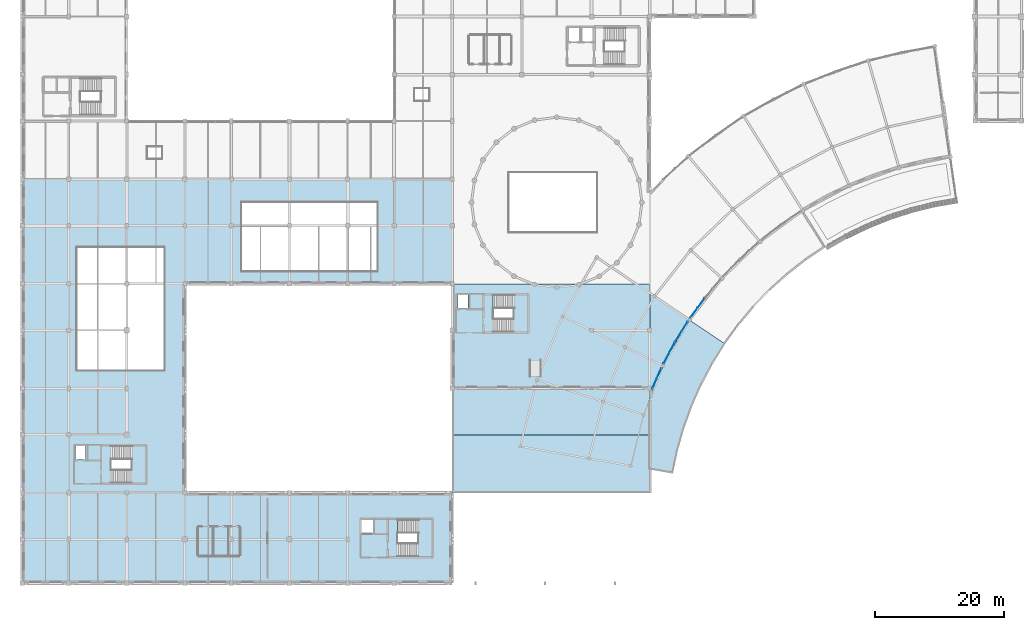
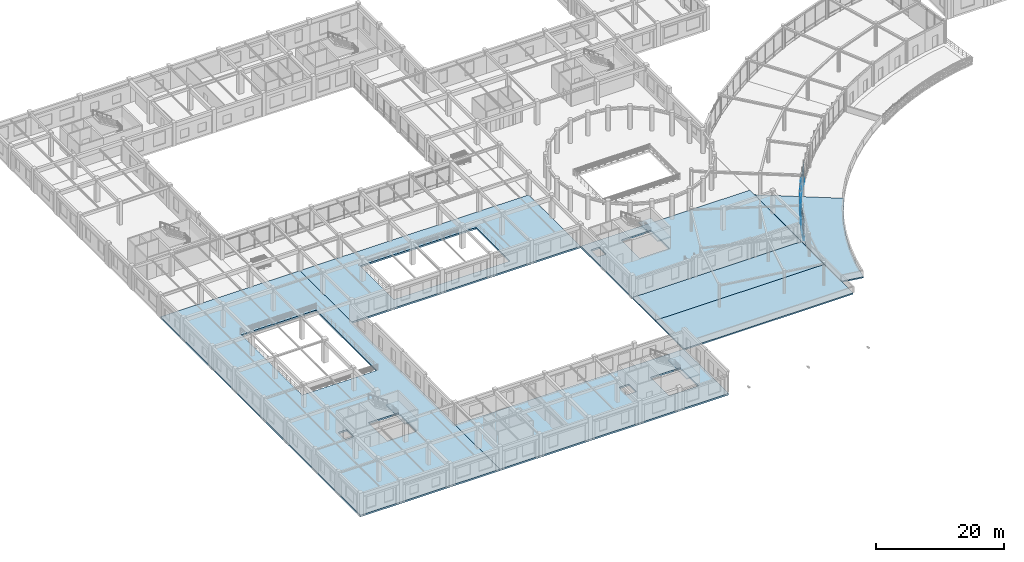
# One storey, part 30 of 62: 16 plates, 11 slabs, 7 elements without a shape of their own.
"""IFC4 building model written with IfcOpenShell, lengths in metres."""

import ifcopenshell
import ifcopenshell.guid

model = None  # the IFC model being written
_history = None  # IfcOwnerHistory: only IFC2X3 demands one
_inside = {}  # id of a spatial element -> (the spatial element, [elements in it])
_under = {}  # id of a project, library or spatial element -> (it, [spatial elements below it])
_declared = {}  # id of a project -> (the project, [libraries it declares])
_typed = {}  # id of a type object -> (the type object, [elements of that type])
_made_of = {}  # id of a material, layer set ... -> (it, [elements and type objects made of it])


def new_model(schema):
    """Start an empty IFC model of exactly this schema.

    Asked for "IFC4X3", IfcOpenShell would pick the latest addendum, in which some entities
    have other attributes; the version numbers below select the first issue.
    IFC2X3 requires an IfcOwnerHistory on every rooted entity: one is made here for all.
    """
    global model, _history
    if schema == "IFC4X3":
        model = ifcopenshell.file(schema_version=(4, 3, 0, 0))
    else:
        model = ifcopenshell.file(schema=schema)
    _inside.clear()
    _under.clear()
    _declared.clear()
    _typed.clear()
    _made_of.clear()
    _history = None
    if model.schema == "IFC2X3":
        org = make("IfcOrganization", Name="unknown")
        user = make(
            "IfcPersonAndOrganization",
            ThePerson=make("IfcPerson", FamilyName="unknown"),
            TheOrganization=org,
        )
        app = make(
            "IfcApplication",
            ApplicationDeveloper=org,
            Version="unknown",
            ApplicationFullName="unknown",
            ApplicationIdentifier="unknown",
        )
        _history = make(
            "IfcOwnerHistory",
            OwningUser=user,
            OwningApplication=app,
            ChangeAction="ADDED",
            CreationDate=0,
        )
    return model


def make(cls, **values):
    """One entity of the class cls with the attributes given. An attribute that is None is left unset."""
    return model.create_entity(
        cls, **{name: value for name, value in values.items() if value is not None}
    )


def rooted(cls, **values):
    """An entity with a GlobalId (a new one), such as an element, a storey or a relation."""
    return make(cls, GlobalId=ifcopenshell.guid.new(), OwnerHistory=_history, **values)


def si_unit(unit_type, name, prefix=None):
    """IfcSIUnit, for example si_unit("LENGTHUNIT", "METRE", prefix="MILLI")."""
    return make("IfcSIUnit", UnitType=unit_type, Prefix=prefix, Name=name)


def assignment(units):
    """IfcUnitAssignment: the units of a project."""
    return None if units is None else make("IfcUnitAssignment", Units=units)


def point(xyz):
    """IfcCartesianPoint."""
    return None if xyz is None else make("IfcCartesianPoint", Coordinates=xyz)


def direction(xyz):
    """IfcDirection."""
    return None if xyz is None else make("IfcDirection", DirectionRatios=xyz)


def frame(location, z_axis=None, x_axis=None):
    """IfcAxis2Placement3D, a coordinate frame: its origin and axes. An axis left out is left unset."""
    return make(
        "IfcAxis2Placement3D",
        Location=point(location),
        Axis=direction(z_axis),
        RefDirection=direction(x_axis),
    )


def frame_2d(location, x_axis=None):
    """IfcAxis2Placement2D, a coordinate frame in the plane: its origin and x axis."""
    return make(
        "IfcAxis2Placement2D", Location=point(location), RefDirection=direction(x_axis)
    )


def origin():
    """The frame at (0, 0, 0) with its axes left unset."""
    return frame((0.0, 0.0, 0.0))


def place(relative_to, where):
    """IfcLocalPlacement: puts the frame where relative to a parent placement (None: the world)."""
    return make(
        "IfcLocalPlacement", PlacementRelTo=relative_to, RelativePlacement=where
    )


def context(
    kind, dimensions, precision=None, world=None, true_north=None, identifier=None
):
    """IfcGeometricRepresentationContext, for example the 3D "Model" context."""
    return make(
        "IfcGeometricRepresentationContext",
        ContextIdentifier=identifier,
        ContextType=kind,
        CoordinateSpaceDimension=dimensions,
        Precision=precision,
        WorldCoordinateSystem=world,
        TrueNorth=true_north,
    )


def subcontext(parent, identifier, kind, view, scale=None):
    """IfcGeometricRepresentationSubContext, for example "Body" below "Model"."""
    return make(
        "IfcGeometricRepresentationSubContext",
        ContextIdentifier=identifier,
        ContextType=kind,
        ParentContext=parent,
        TargetScale=scale,
        TargetView=view,
    )


def project(units=None, contexts=None):
    """IfcProject with its units and contexts."""
    return rooted(
        "IfcProject",
        Name="project",
        RepresentationContexts=contexts,
        UnitsInContext=assignment(units),
    )


def spatial(cls, under=None, at=None, **own):
    """A site, building, storey or space (cls), placed at a placement, below another one or the project."""
    s = rooted(cls, ObjectPlacement=at, **own)
    if under is not None:
        _under.setdefault(under.id(), (under, []))[1].append(s)
    return s


def polyline(points):
    """IfcPolyline through the points."""
    return make("IfcPolyline", Points=[point(p) for p in points])


def profile(cls, at=None, kind="AREA", **sizes):
    """A parametric profile (cls). Its sizes go by their IFC names, for example OverallWidth=200.0."""
    return make(cls, ProfileType=kind, Position=at, **sizes)


def rectangle(**sizes):
    """IfcRectangleProfileDef."""
    return profile("IfcRectangleProfileDef", **sizes)


def outline(outer, holes=None, kind="AREA"):
    """IfcArbitraryClosedProfileDef: a profile drawn as a closed curve; with holes, ...WithVoids."""
    if holes is None:
        return make("IfcArbitraryClosedProfileDef", ProfileType=kind, OuterCurve=outer)
    return make(
        "IfcArbitraryProfileDefWithVoids",
        ProfileType=kind,
        OuterCurve=outer,
        InnerCurves=holes,
    )


def extrude(swept, where, along, depth):
    """IfcExtrudedAreaSolid: the profile swept, set in the frame where, extruded along a direction by depth."""
    return make(
        "IfcExtrudedAreaSolid",
        SweptArea=swept,
        Position=where,
        ExtrudedDirection=direction(along),
        Depth=depth,
    )


def shape(context_of_items, identifier, shape_type, items):
    """IfcShapeRepresentation: the items that make up one representation, for example the "Body"."""
    return make(
        "IfcShapeRepresentation",
        ContextOfItems=context_of_items,
        RepresentationIdentifier=identifier,
        RepresentationType=shape_type,
        Items=items,
    )


def material(Name=None, Category=None):
    """IfcMaterial."""
    return make("IfcMaterial", Name=Name, Category=Category)


def layer(
    of_material, thickness, ventilated=None, Name=None, Category=None, Priority=None
):
    """IfcMaterialLayer: one layer of a wall or slab, of a material (None: an air gap)."""
    return make(
        "IfcMaterialLayer",
        Material=of_material,
        LayerThickness=thickness,
        IsVentilated=ventilated,
        Name=Name,
        Category=Category,
        Priority=Priority,
    )


def layer_set(layers, Name=None):
    """IfcMaterialLayerSet."""
    return make("IfcMaterialLayerSet", MaterialLayers=layers, LayerSetName=Name)


def made_of(thing, what):
    """Note that an element or type object is made of a material, layer set ...; save() writes the relation."""
    if what is not None:
        _made_of.setdefault(what.id(), (what, []))[1].append(thing)
    return thing


def type_object(cls, material=None, **own):
    """A type object (cls), such as IfcWallType, which elements share."""
    return made_of(rooted(cls, **own), material)


def element(
    cls,
    number,
    at=None,
    inside=None,
    cuts=None,
    type_object=None,
    material=None,
    context=None,
    identifier="Body",
    shape_type=None,
    held_by="IfcProductDefinitionShape",
    body=None,
    shapes=None,
    **own,
):
    """One element of the class cls, such as IfcWall. Its Tag is "e" and its number.

    at: its placement. inside: the storey or other place that contains it. cuts: it is an
    opening in that element (IfcRelVoidsElement). A single representation is given by context,
    identifier, shape_type and body (its items); several are given by shapes. held_by: the class
    of the entity that holds the representations. save() writes the other relations.
    """
    e = rooted(cls, Tag="e%d" % number, ObjectPlacement=at, **own)
    if body is not None:
        shapes = [shape(context, identifier, shape_type, body)]
    if shapes is not None:
        e.Representation = make(held_by, Representations=shapes)
    if inside is not None:
        _inside.setdefault(inside.id(), (inside, []))[1].append(e)
    if cuts is not None:
        rooted(
            "IfcRelVoidsElement", RelatingBuildingElement=cuts, RelatedOpeningElement=e
        )
    if type_object is not None:
        _typed.setdefault(type_object.id(), (type_object, []))[1].append(e)
    return made_of(e, material)


def aggregate(whole, parts):
    """IfcRelAggregates: a whole, such as a stair, and the parts it consists of."""
    return rooted("IfcRelAggregates", RelatingObject=whole, RelatedObjects=parts)


def save(model, path):
    """Write the relations noted so far, then the file.

    IfcRelAggregates (storeys below a building ...), IfcRelContainedInSpatialStructure (elements
    in a storey), IfcRelDefinesByType, IfcRelAssociatesMaterial and IfcRelDeclares: one each for
    every whole, place, type object, material and project.
    """
    for whole, parts in _under.values():
        aggregate(whole, parts)
    for where, things in _inside.values():
        rooted(
            "IfcRelContainedInSpatialStructure",
            RelatedElements=things,
            RelatingStructure=where,
        )
    for kind, things in _typed.values():
        rooted("IfcRelDefinesByType", RelatedObjects=things, RelatingType=kind)
    for what, things in _made_of.values():
        rooted("IfcRelAssociatesMaterial", RelatedObjects=things, RelatingMaterial=what)
    for by, libraries in _declared.values():
        rooted("IfcRelDeclares", RelatingContext=by, RelatedDefinitions=libraries)
    model.write(path)


model = new_model("IFC4")

# Units and contexts
model_context = context("Model", 3, precision=1e-05, world=origin(), true_north=direction((0.0, 1.0)))
body_context = subcontext(model_context, "Body", "Model", "MODEL_VIEW")
ifc_project = project(units=[si_unit("LENGTHUNIT", "METRE"), si_unit("AREAUNIT", "SQUARE_METRE"), si_unit("VOLUMEUNIT", "CUBIC_METRE"), si_unit("PLANEANGLEUNIT", "RADIAN"), si_unit("MASSUNIT", "GRAM", prefix="KILO")], contexts=[model_context])

# Site, building, storey
site_placement = place(None, origin())
site = spatial("IfcSite", under=ifc_project, at=site_placement, CompositionType="ELEMENT")
building_placement = place(site_placement, origin())
building = spatial("IfcBuilding", under=site, at=building_placement, Name="Clarverna Civic Hall", CompositionType="ELEMENT")
storey_placement = place(building_placement, frame((0.0, 0.0, 5.10009765625)))
storey = spatial("IfcBuildingStorey", under=building, at=storey_placement, Name="L01", CompositionType="ELEMENT", Elevation=5.10009765625)

# Curtain wall, plates
ifc_material_1 = material(Name="Anodised Bronze Architectural Aluminium", Category="aluminium")
curtain_wall_type = type_object("IfcCurtainWallType", Name="CW-03", PredefinedType="USERDEFINED", material=ifc_material_1)
curtain_wall_1_placement = place(storey_placement, origin())
curtain_wall_1 = element("IfcCurtainWall", 1, at=curtain_wall_1_placement, inside=storey, type_object=curtain_wall_type, Name="CW-03-044", ObjectType="UNITISED CURTAIN WALL", PredefinedType="USERDEFINED")
ifc_material_2 = material(Name="Solar-Control Argon Low-E Double Glazing", Category="glass")
ifc_layer_1 = layer(ifc_material_2, 0.031982421875)
ifc_layer_set_1 = layer_set([ifc_layer_1], Name="Solar-Control Argon Low-E Double Glazing")
plate_type_1 = type_object("IfcPlateType", Name="CWP-01", PredefinedType="CURTAIN_PANEL", material=ifc_layer_set_1)
plate_1_placement = place(storey_placement, frame((105.68115234375, 44.121337890625, 0.764892578125), z_axis=(0.0, 0.0, 1.0), x_axis=(-0.58777681408, -0.809023125028, 0.0)))
plate_1 = element("IfcPlate", 2, at=plate_1_placement, type_object=plate_type_1, Name="CWP-01-166", PredefinedType="CURTAIN_PANEL", context=body_context, shape_type="SweptSolid", body=[
    extrude(rectangle(XDim=1.83837890625, YDim=0.031982421875, at=frame_2d((0.919189453125, 0.0))), origin(), (0.0, 0.0, 1.0), 3.034912109375),
])
plate_2_placement = place(storey_placement, frame((104.5830078125, 42.60986328125, 0.764892578125), z_axis=(0.0, 0.0, 1.0), x_axis=(-0.58777681408, -0.809023125028, 0.0)))
plate_2 = element("IfcPlate", 3, at=plate_2_placement, type_object=plate_type_1, Name="CWP-01-167", PredefinedType="CURTAIN_PANEL", context=body_context, shape_type="SweptSolid", body=[
    extrude(rectangle(XDim=1.83837890625, YDim=0.031982421875, at=frame_2d((0.919189453125, 0.0))), origin(), (0.0, 0.0, 1.0), 3.034912109375),
])

curtain_wall_2_placement = place(storey_placement, origin())
curtain_wall_2 = element("IfcCurtainWall", 4, at=curtain_wall_2_placement, inside=storey, type_object=curtain_wall_type, Name="CW-03-045", ObjectType="UNITISED CURTAIN WALL", PredefinedType="USERDEFINED")
plate_3_placement = place(storey_placement, frame((103.077880859375, 40.488037109375, 0.764892578125), z_axis=(0.0, 0.0, 1.0), x_axis=(-0.529876807902, -0.848074624339, 0.0)))
plate_3 = element("IfcPlate", 5, at=plate_3_placement, type_object=plate_type_1, Name="CWP-01-168", PredefinedType="CURTAIN_PANEL", context=body_context, shape_type="SweptSolid", body=[
    extrude(rectangle(XDim=1.796875, YDim=0.031982421875, at=frame_2d((0.8984375, 0.0))), origin(), (0.0, 0.0, 1.0), 3.034912109375),
])
plate_4_placement = place(storey_placement, frame((102.10986328125, 38.938720703125, 0.764892578125), z_axis=(0.0, 0.0, 1.0), x_axis=(-0.529876807902, -0.848074624339, 0.0)))
plate_4 = element("IfcPlate", 6, at=plate_4_placement, type_object=plate_type_1, Name="CWP-01-169", PredefinedType="CURTAIN_PANEL", context=body_context, shape_type="SweptSolid", body=[
    extrude(rectangle(XDim=1.796875, YDim=0.031982421875, at=frame_2d((0.8984375, 0.0))), origin(), (0.0, 0.0, 1.0), 3.034912109375),
])

curtain_wall_3_placement = place(storey_placement, origin())
curtain_wall_3 = element("IfcCurtainWall", 7, at=curtain_wall_3_placement, inside=storey, type_object=curtain_wall_type, Name="CW-03-046", ObjectType="UNITISED CURTAIN WALL", PredefinedType="USERDEFINED")
plate_5_placement = place(storey_placement, frame((101.104736328125, 37.323486328125, 0.764892578125), z_axis=(0.0, 0.0, 1.0), x_axis=(-0.469404046966, -0.882983488346, 0.0)))
plate_5 = element("IfcPlate", 8, at=plate_5_placement, type_object=plate_type_1, Name="CWP-01-170", PredefinedType="CURTAIN_PANEL", context=body_context, shape_type="SweptSolid", body=[
    extrude(rectangle(XDim=1.841064453125, YDim=0.031982421875, at=frame_2d((0.92041015625, 0.0))), origin(), (0.0, 0.0, 1.0), 3.034912109375),
])
plate_6_placement = place(storey_placement, frame((100.2265625, 35.67138671875, 0.764892578125), z_axis=(0.0, 0.0, 1.0), x_axis=(-0.469459012018, -0.882954266106, 0.0)))
plate_6 = element("IfcPlate", 9, at=plate_6_placement, type_object=plate_type_1, Name="CWP-01-171", PredefinedType="CURTAIN_PANEL", context=body_context, shape_type="SweptSolid", body=[
    extrude(rectangle(XDim=1.841064453125, YDim=0.031982421875, at=frame_2d((0.92041015625, 0.0))), origin(), (0.0, 0.0, 1.0), 3.034912109375),
])

curtain_wall_4_placement = place(storey_placement, origin())
curtain_wall_4 = element("IfcCurtainWall", 10, at=curtain_wall_4_placement, inside=storey, type_object=curtain_wall_type, Name="CW-03-047", ObjectType="UNITISED CURTAIN WALL", PredefinedType="USERDEFINED")
plate_7_placement = place(storey_placement, frame((99.017578125, 33.32958984375, 0.764892578125), z_axis=(0.0, 0.0, 1.0), x_axis=(-0.406758800512, -0.913535592195, 0.0)))
plate_7 = element("IfcPlate", 11, at=plate_7_placement, type_object=plate_type_1, Name="CWP-01-172", PredefinedType="CURTAIN_PANEL", context=body_context, shape_type="SweptSolid", body=[
    extrude(rectangle(XDim=1.716064453125, YDim=0.031982421875, at=frame_2d((0.85791015625, 0.0))), origin(), (0.0, 0.0, 1.0), 3.034912109375),
])
plate_8_placement = place(storey_placement, frame((98.3076171875, 31.734619140625, 0.764892578125), z_axis=(0.0, 0.0, 1.0), x_axis=(-0.406758800512, -0.913535592195, 0.0)))
plate_8 = element("IfcPlate", 12, at=plate_8_placement, type_object=plate_type_1, Name="CWP-01-173", PredefinedType="CURTAIN_PANEL", context=body_context, shape_type="SweptSolid", body=[
    extrude(rectangle(XDim=1.716064453125, YDim=0.031982421875, at=frame_2d((0.85791015625, 0.0))), origin(), (0.0, 0.0, 1.0), 3.034912109375),
])

# Plate
ifc_material_3 = material(Name="Insulated Anodised Bronze Spandrel Panel", Category="aluminium")
ifc_layer_2 = layer(ifc_material_3, 0.048095703125)
ifc_layer_set_2 = layer_set([ifc_layer_2], Name="Insulated Anodised Bronze Spandrel Panel")
plate_type_2 = type_object("IfcPlateType", Name="CWP-03", PredefinedType="CURTAIN_PANEL", material=ifc_layer_set_2)
plate_9_placement = place(storey_placement, frame((105.68115234375, 44.121337890625, 0.10986328125), z_axis=(0.0, 0.0, 1.0), x_axis=(-0.58777681408, -0.809023125028, 0.0)))
plate_9 = element("IfcPlate", 13, at=plate_9_placement, type_object=plate_type_2, Name="CWP-03-168", PredefinedType="CURTAIN_PANEL", context=body_context, shape_type="SweptSolid", body=[
    extrude(rectangle(XDim=1.83837890625, YDim=0.048095703125, at=frame_2d((0.919189453125, 0.0))), origin(), (0.0, 0.0, 1.0), 0.625),
])

plate_10_placement = place(storey_placement, frame((104.5830078125, 42.60986328125, 0.10986328125), z_axis=(0.0, 0.0, 1.0), x_axis=(-0.58777681408, -0.809023125028, 0.0)))
plate_10 = element("IfcPlate", 14, at=plate_10_placement, type_object=plate_type_2, Name="CWP-03-169", PredefinedType="CURTAIN_PANEL", context=body_context, shape_type="SweptSolid", body=[
    extrude(rectangle(XDim=1.83837890625, YDim=0.048095703125, at=frame_2d((0.919189453125, 0.0))), origin(), (0.0, 0.0, 1.0), 0.625),
])

aggregate(curtain_wall_1, [plate_9, plate_1, plate_10, plate_2])

plate_11_placement = place(storey_placement, frame((103.077880859375, 40.488037109375, 0.10986328125), z_axis=(0.0, 0.0, 1.0), x_axis=(-0.529876807902, -0.848074624339, 0.0)))
plate_11 = element("IfcPlate", 15, at=plate_11_placement, type_object=plate_type_2, Name="CWP-03-170", PredefinedType="CURTAIN_PANEL", context=body_context, shape_type="SweptSolid", body=[
    extrude(rectangle(XDim=1.796875, YDim=0.048095703125, at=frame_2d((0.8984375, 0.0))), origin(), (0.0, 0.0, 1.0), 0.625),
])

plate_12_placement = place(storey_placement, frame((102.10986328125, 38.938720703125, 0.10986328125), z_axis=(0.0, 0.0, 1.0), x_axis=(-0.529876807902, -0.848074624339, 0.0)))
plate_12 = element("IfcPlate", 16, at=plate_12_placement, type_object=plate_type_2, Name="CWP-03-171", PredefinedType="CURTAIN_PANEL", context=body_context, shape_type="SweptSolid", body=[
    extrude(rectangle(XDim=1.796875, YDim=0.048095703125, at=frame_2d((0.8984375, 0.0))), origin(), (0.0, 0.0, 1.0), 0.625),
])

aggregate(curtain_wall_2, [plate_11, plate_3, plate_12, plate_4])

plate_13_placement = place(storey_placement, frame((101.104736328125, 37.323486328125, 0.10986328125), z_axis=(0.0, 0.0, 1.0), x_axis=(-0.469404046966, -0.882983488346, 0.0)))
plate_13 = element("IfcPlate", 17, at=plate_13_placement, type_object=plate_type_2, Name="CWP-03-172", PredefinedType="CURTAIN_PANEL", context=body_context, shape_type="SweptSolid", body=[
    extrude(rectangle(XDim=1.841064453125, YDim=0.048095703125, at=frame_2d((0.92041015625, 0.0))), origin(), (0.0, 0.0, 1.0), 0.625),
])

plate_14_placement = place(storey_placement, frame((100.2265625, 35.67138671875, 0.10986328125), z_axis=(0.0, 0.0, 1.0), x_axis=(-0.469459012018, -0.882954266106, 0.0)))
plate_14 = element("IfcPlate", 18, at=plate_14_placement, type_object=plate_type_2, Name="CWP-03-173", PredefinedType="CURTAIN_PANEL", context=body_context, shape_type="SweptSolid", body=[
    extrude(rectangle(XDim=1.841064453125, YDim=0.048095703125, at=frame_2d((0.92041015625, 0.0))), origin(), (0.0, 0.0, 1.0), 0.625),
])

aggregate(curtain_wall_3, [plate_13, plate_5, plate_14, plate_6])

plate_15_placement = place(storey_placement, frame((99.017578125, 33.32958984375, 0.10986328125), z_axis=(0.0, 0.0, 1.0), x_axis=(-0.406758800512, -0.913535592195, 0.0)))
plate_15 = element("IfcPlate", 19, at=plate_15_placement, type_object=plate_type_2, Name="CWP-03-174", PredefinedType="CURTAIN_PANEL", context=body_context, shape_type="SweptSolid", body=[
    extrude(rectangle(XDim=1.716064453125, YDim=0.048095703125, at=frame_2d((0.85791015625, 0.0))), origin(), (0.0, 0.0, 1.0), 0.625),
])

plate_16_placement = place(storey_placement, frame((98.3076171875, 31.734619140625, 0.10986328125), z_axis=(0.0, 0.0, 1.0), x_axis=(-0.406758800512, -0.913535592195, 0.0)))
plate_16 = element("IfcPlate", 20, at=plate_16_placement, type_object=plate_type_2, Name="CWP-03-175", PredefinedType="CURTAIN_PANEL", context=body_context, shape_type="SweptSolid", body=[
    extrude(rectangle(XDim=1.716064453125, YDim=0.048095703125, at=frame_2d((0.85791015625, 0.0))), origin(), (0.0, 0.0, 1.0), 0.625),
])

aggregate(curtain_wall_4, [plate_15, plate_7, plate_16, plate_8])

# Slabs
ifc_material_4 = material(Name="Concrete C30/37", Category="concrete")
ifc_layer_3 = layer(ifc_material_4, 0.320068359375)
ifc_layer_set_3 = layer_set([ifc_layer_3], Name="Concrete C30/37")
slab_type_1 = type_object("IfcSlabType", Name="SL-FL2", PredefinedType="FLOOR", material=ifc_layer_set_3)
slab_1_placement = place(storey_placement, frame((0.0, 0.0, -0.320068359375)))
element("IfcSlab", 21, at=slab_1_placement, inside=storey, type_object=slab_type_1, Name="SL-FL2-006", PredefinedType="FLOOR", context=body_context, shape_type="SweptSolid", body=[
    extrude(outline(polyline([(99.330810546875, 33.6884765625), (101.2509765625, 37.300048828125), (103.41845703125, 40.768798828125), (97.22509765625, 44.9462890625), (97.22509765625, 28.737548828125), (97.6669921875, 29.951904296875), (99.330810546875, 33.6884765625)])), origin(), (0.0, 0.0, 1.0), 0.320068359375),
])
slab_2_placement = place(storey_placement, frame((0.0, 0.0, -0.320068359375)))
element("IfcSlab", 22, at=slab_2_placement, inside=storey, type_object=slab_type_1, Name="SL-FL2-007", PredefinedType="FLOOR", context=body_context, shape_type="SweptSolid", body=[
    extrude(outline(polyline([(97.175048828125, 46.39990234375), (66.625, 46.39990234375), (66.625, 30.199951171875), (97.175048828125, 30.199951171875), (97.175048828125, 46.39990234375)]), holes=[polyline([(72.949951171875, 38.919921875), (78.35009765625, 38.919921875), (78.35009765625, 44.679931640625), (72.949951171875, 44.679931640625), (72.949951171875, 38.919921875)]), polyline([(67.469970703125, 42.5400390625), (69.030029296875, 42.5400390625), (69.030029296875, 44.699951171875), (67.469970703125, 44.699951171875), (67.469970703125, 42.5400390625)])]), origin(), (0.0, 0.0, 1.0), 0.320068359375),
])
slab_3_placement = place(storey_placement, frame((0.0, 0.0, -0.320068359375)))
element("IfcSlab", 23, at=slab_3_placement, inside=storey, type_object=slab_type_1, Name="SL-FL2-008", PredefinedType="FLOOR", context=body_context, shape_type="SweptSolid", body=[
    extrude(outline(polyline([(0.0, 0.0), (25.199951171875, 0.0), (25.199951171875, 62.60009765625), (16.199951171875, 62.60009765625), (0.0, 62.60009765625), (0.0, 0.0)]), holes=[polyline([(8.5, 33.0), (22.0, 33.0), (22.0, 52.0), (8.5, 52.0), (8.5, 33.0)]), polyline([(13.75, 15.52001953125), (19.14990234375, 15.52001953125), (19.14990234375, 21.280029296875), (13.75, 21.280029296875), (13.75, 15.52001953125)]), polyline([(8.27001953125, 19.139892578125), (9.830078125, 19.139892578125), (9.830078125, 21.300048828125), (8.27001953125, 21.300048828125), (8.27001953125, 19.139892578125)])]), origin(), (0.0, 0.0, 1.0), 0.320068359375),
])
slab_4_placement = place(storey_placement, frame((0.0, 0.0, -0.320068359375)))
element("IfcSlab", 24, at=slab_4_placement, inside=storey, type_object=slab_type_1, Name="SL-FL2-009", PredefinedType="FLOOR", context=body_context, shape_type="SweptSolid", body=[
    extrude(outline(polyline([(25.199951171875, 0.0), (66.574951171875, 0.0), (66.574951171875, 14.0), (25.199951171875, 14.0), (25.199951171875, 0.0)]), holes=[polyline([(58.14990234375, 4.1201171875), (63.550048828125, 4.1201171875), (63.550048828125, 9.8798828125), (58.14990234375, 9.8798828125), (58.14990234375, 4.1201171875)]), polyline([(52.570068359375, 7.639892578125), (54.330078125, 7.639892578125), (54.330078125, 10.0), (52.570068359375, 10.0), (52.570068359375, 7.639892578125)])]), origin(), (0.0, 0.0, 1.0), 0.320068359375),
])
slab_5_placement = place(storey_placement, frame((0.0, 0.0, -0.320068359375)))
element("IfcSlab", 25, at=slab_5_placement, inside=storey, type_object=slab_type_1, Name="SL-FL2-010", PredefinedType="FLOOR", context=body_context, shape_type="SweptSolid", body=[
    extrude(outline(polyline([(25.199951171875, 46.39990234375), (66.574951171875, 46.39990234375), (66.574951171875, 62.60009765625), (25.199951171875, 62.60009765625), (25.199951171875, 46.39990234375)]), holes=[polyline([(34.0, 48.39990234375), (55.0, 48.39990234375), (55.0, 59.0), (34.0, 59.0), (34.0, 48.39990234375)])]), origin(), (0.0, 0.0, 1.0), 0.320068359375),
])

# Stair, slab
stair_type = type_object("IfcStairType", Name="ST-U1", PredefinedType="HALF_TURN_STAIR", material=ifc_material_4)
stair_1_placement = place(storey_placement, origin())
stair_1 = element("IfcStair", 26, at=stair_1_placement, inside=storey, type_object=stair_type, Name="ST-U1:L01:0006", PredefinedType="HALF_TURN_STAIR")
ifc_layer_4 = layer(ifc_material_4, 0.199951171875)
ifc_layer_set_4 = layer_set([ifc_layer_4], Name="Concrete C30/37")
slab_type_2 = type_object("IfcSlabType", Name="SL-LD1", PredefinedType="LANDING", material=ifc_layer_set_4)
slab_6_placement = place(storey_placement, frame((0.0, 0.0, 2.0498046875)))
slab_6 = element("IfcSlab", 27, at=slab_6_placement, type_object=slab_type_2, Name="SL-LD1-024", PredefinedType="LANDING", context=body_context, shape_type="SweptSolid", body=[
    extrude(outline(polyline([(76.139892578125, 38.820068359375), (78.449951171875, 38.820068359375), (78.449951171875, 44.780029296875), (76.139892578125, 44.780029296875), (76.139892578125, 38.820068359375)])), origin(), (0.0, 0.0, 1.0), 0.2001953125),
])
aggregate(stair_1, [slab_6])

stair_2_placement = place(storey_placement, origin())
stair_2 = element("IfcStair", 28, at=stair_2_placement, inside=storey, type_object=stair_type, Name="ST-U1:L01:0010", PredefinedType="HALF_TURN_STAIR")
slab_7_placement = place(storey_placement, frame((0.0, 0.0, 2.0498046875)))
slab_7 = element("IfcSlab", 29, at=slab_7_placement, type_object=slab_type_2, Name="SL-LD1-032", PredefinedType="LANDING", context=body_context, shape_type="SweptSolid", body=[
    extrude(outline(polyline([(61.340087890625, 4.02001953125), (63.64990234375, 4.02001953125), (63.64990234375, 9.97998046875), (61.340087890625, 9.97998046875), (61.340087890625, 4.02001953125)])), origin(), (0.0, 0.0, 1.0), 0.2001953125),
])
aggregate(stair_2, [slab_7])

stair_3_placement = place(storey_placement, origin())
stair_3 = element("IfcStair", 30, at=stair_3_placement, inside=storey, type_object=stair_type, Name="ST-U1:L01:0012", PredefinedType="HALF_TURN_STAIR")
slab_8_placement = place(storey_placement, frame((0.0, 0.0, 2.0498046875)))
slab_8 = element("IfcSlab", 31, at=slab_8_placement, type_object=slab_type_2, Name="SL-LD1-036", PredefinedType="LANDING", context=body_context, shape_type="SweptSolid", body=[
    extrude(outline(polyline([(16.93994140625, 15.419921875), (19.25, 15.419921875), (19.25, 21.3798828125), (16.93994140625, 21.3798828125), (16.93994140625, 15.419921875)])), origin(), (0.0, 0.0, 1.0), 0.2001953125),
])
aggregate(stair_3, [slab_8])

# Slabs
ifc_layer_5 = layer(ifc_material_4, 0.260009765625)
ifc_layer_set_5 = layer_set([ifc_layer_5], Name="Concrete C30/37")
slab_type_3 = type_object("IfcSlabType", Name="SL-RF1", PredefinedType="ROOF", material=ifc_layer_set_5)
slab_9_placement = place(storey_placement, frame((0.0, 0.0, -0.239990234375)))
element("IfcSlab", 32, at=slab_9_placement, inside=storey, type_object=slab_type_3, Name="SL-TR1-003", PredefinedType="ROOF", context=body_context, shape_type="SweptSolid", body=[
    extrude(outline(polyline([(105.2626953125, 30.79541015625), (106.966796875, 34.0), (108.889892578125, 37.077880859375), (103.41845703125, 40.768798828125), (101.2509765625, 37.300048828125), (99.330810546875, 33.6884765625), (97.6669921875, 29.951904296875), (97.22509765625, 28.737548828125), (97.22509765625, 17.658203125), (100.7900390625, 17.02978515625), (101.544677734375, 20.579833984375), (102.545166015625, 24.06884765625), (103.786376953125, 27.4794921875), (105.2626953125, 30.79541015625)])), origin(), (0.0, 0.0, 1.0), 0.239990234375),
])
slab_10_placement = place(storey_placement, frame((0.0, 0.0, -0.260009765625)))
element("IfcSlab", 33, at=slab_10_placement, inside=storey, type_object=slab_type_3, Name="SL-RF1-001", PredefinedType="ROOF", context=body_context, shape_type="SweptSolid", body=[
    extrude(outline(polyline([(97.175048828125, 30.199951171875), (66.625, 30.199951171875), (66.625, 23.0), (97.175048828125, 23.0), (97.175048828125, 30.199951171875)])), origin(), (0.0, 0.0, 1.0), 0.260009765625),
])
slab_11_placement = place(storey_placement, frame((0.0, 0.0, -0.260009765625)))
element("IfcSlab", 34, at=slab_11_placement, inside=storey, type_object=slab_type_3, Name="SL-RF1-002", PredefinedType="ROOF", context=body_context, shape_type="SweptSolid", body=[
    extrude(outline(polyline([(97.175048828125, 23.0), (66.625, 23.0), (66.625, 14.0), (97.175048828125, 14.0), (97.175048828125, 23.0)])), origin(), (0.0, 0.0, 1.0), 0.260009765625),
])

save(model, "model.ifc")
